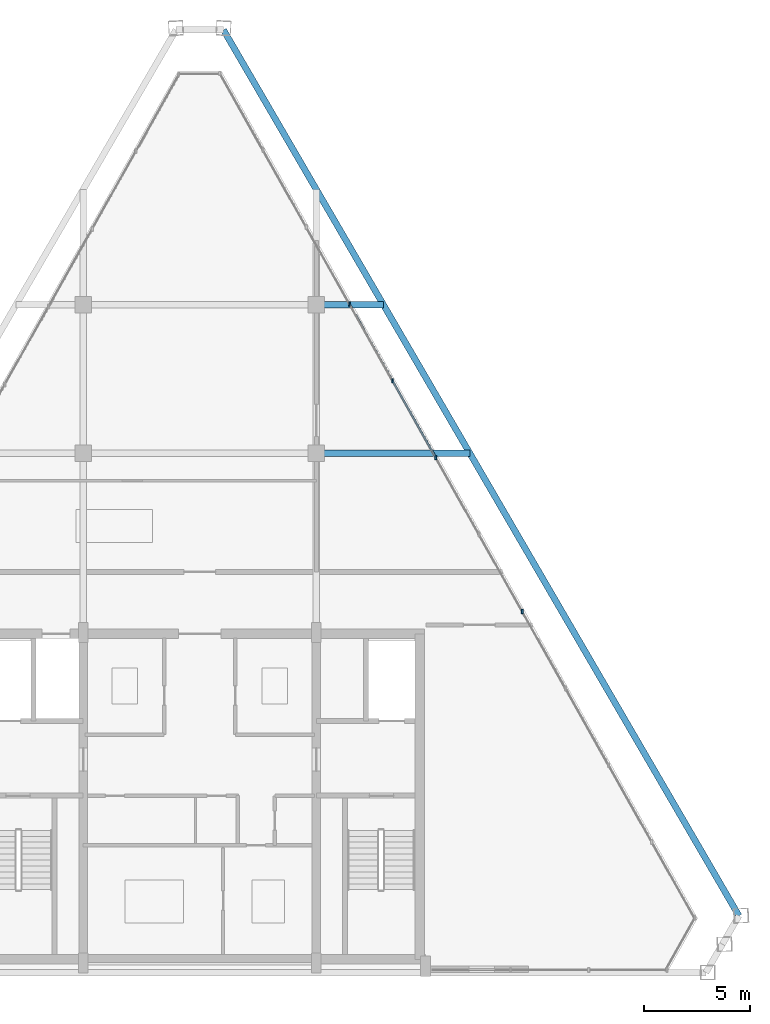
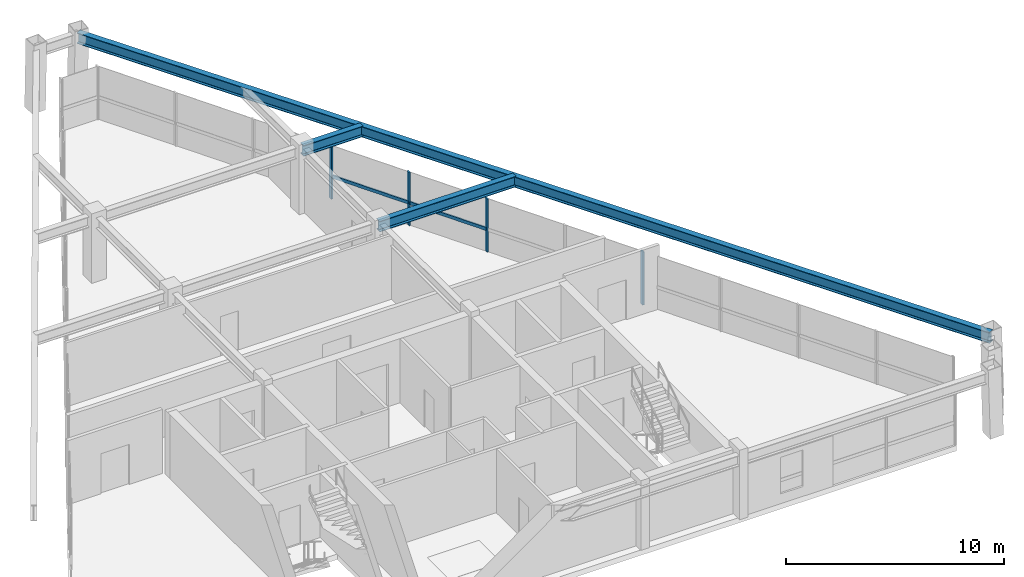
# One storey, part 7 of 12: 6 members, 3 beams, 1 element without a shape of its own.
"""IFC4 building model written with IfcOpenShell, lengths in metres."""

from ifc_helpers import new_model, si_unit, direction, frame, origin, origin_2d, place, context, subcontext, project, spatial, rectangle, i_section, extrude, source, transform, mapped, material, material_profile, profile_set, type_object, type_shapes, element, aggregate, save


model = new_model("IFC4")

# Units and contexts
model_context = context("Model", 3, precision=1e-05, world=origin(), true_north=direction((0.0, 1.0)))
body_context = subcontext(model_context, "Body", "Model", "MODEL_VIEW")
ifc_project = project(units=[si_unit("LENGTHUNIT", "METRE"), si_unit("AREAUNIT", "SQUARE_METRE"), si_unit("VOLUMEUNIT", "CUBIC_METRE"), si_unit("PLANEANGLEUNIT", "RADIAN"), si_unit("MASSUNIT", "GRAM", prefix="KILO")], contexts=[model_context])

# Site, building, storey
site_placement = place(None, origin())
site = spatial("IfcSite", under=ifc_project, at=site_placement, CompositionType="ELEMENT")
building_placement = place(site_placement, origin())
building = spatial("IfcBuilding", under=site, at=building_placement, Name="Varnakhor Terracotta Tower", CompositionType="ELEMENT")
storey_placement = place(building_placement, frame((0.0, 0.0, 325.300048828125)))
storey = spatial("IfcBuildingStorey", under=building, at=storey_placement, Name="L85 Crown", CompositionType="ELEMENT", Elevation=325.300048828125)

# Beams
ifc_material_1 = material(Name="Steel S355", Category="steel")
ifc_material_profile_1 = material_profile(ifc_material_1, i_section(OverallWidth=0.300048828125, OverallDepth=0.60009765625, WebThickness=0.015380859375, FlangeThickness=0.030029296875, FilletRadius=0.01806640625, at=origin_2d()), Name="HEB600")
ifc_profile_set_1 = profile_set([ifc_material_profile_1], Name="Steel S355")
beam_type = type_object("IfcBeamType", Name="BM-HEB600", PredefinedType="BEAM", material=ifc_profile_set_1)
shared_shape_1 = source(origin(), body_context, "Body", "SweptSolid", [
    extrude(i_section(OverallWidth=0.300048828125, OverallDepth=0.60009765625, WebThickness=0.015380859375, FlangeThickness=0.030029296875, FilletRadius=0.01806640625, at=origin_2d()), origin(), (0.0, 0.0, 1.0), 48.347412109375),
])
beam_1_placement = place(storey_placement, frame((25.43408203125, 2.67919921875, 3.300048828125), z_axis=(-0.502900849173, 0.864344107344, 0.0), x_axis=(-0.864344107344, -0.502900849173, 0.0)))
element("IfcBeam", 1, at=beam_1_placement, inside=storey, type_object=beam_type, Name="L85 Crown Perimeter Spandrel 4", PredefinedType="BEAM", context=body_context, shape_type="MappedRepresentation", body=[
    mapped(shared_shape_1, transform((0.0, 0.0, 0.0), scale=1.0)),
])
shared_shape_2 = source(origin(), body_context, "Body", "SweptSolid", [
    extrude(i_section(OverallWidth=0.300048828125, OverallDepth=0.60009765625, WebThickness=0.015380859375, FlangeThickness=0.030029296875, FilletRadius=0.01806640625, at=origin_2d()), origin(), (0.0, 0.0, 1.0), 7.23828125),
])
beam_2_placement = place(storey_placement, frame((5.5, 24.5, 3.300048828125), z_axis=(1.0, 0.0, 0.0), x_axis=(0.0, 1.0, 0.0)))
element("IfcBeam", 2, at=beam_2_placement, inside=storey, type_object=beam_type, Name="L85 Crown Primary Girder EW2-3", PredefinedType="BEAM", context=body_context, shape_type="MappedRepresentation", body=[
    mapped(shared_shape_2, transform((0.0, 0.0, 0.0), scale=1.0)),
])
shared_shape_3 = source(origin(), body_context, "Body", "SweptSolid", [
    extrude(i_section(OverallWidth=0.300048828125, OverallDepth=0.60009765625, WebThickness=0.015380859375, FlangeThickness=0.030029296875, FilletRadius=0.01806640625, at=origin_2d()), origin(), (0.0, 0.0, 1.0), 3.165283203125),
])
beam_3_placement = place(storey_placement, frame((5.5, 31.5, 3.300048828125), z_axis=(1.0, 0.0, 0.0), x_axis=(0.0, 1.0, 0.0)))
element("IfcBeam", 3, at=beam_3_placement, inside=storey, type_object=beam_type, Name="L85 Crown Primary Girder EW3-3", PredefinedType="BEAM", context=body_context, shape_type="MappedRepresentation", body=[
    mapped(shared_shape_3, transform((0.0, 0.0, 0.0), scale=1.0)),
])

# Curtain wall, members
ifc_material_2 = material(Name="Anodised Aluminium Curtain Wall System", Category="aluminium")
curtain_wall_type = type_object("IfcCurtainWallType", Name="CW-SYS-CROWN", PredefinedType="NOTDEFINED", material=ifc_material_2)
curtain_wall_placement = place(storey_placement, origin())
curtain_wall = element("IfcCurtainWall", 4, at=curtain_wall_placement, inside=storey, type_object=curtain_wall_type, Name="L85 Crown Facet Curtain Wall 3", PredefinedType="NOTDEFINED")
ifc_material_3 = material(Name="Anodised Aluminium 6063-T6", Category="aluminium")
ifc_material_profile_2 = material_profile(ifc_material_3, rectangle(XDim=0.080078125, YDim=0.205078125, at=origin_2d()), Name="ALU MULLION 80x205")
ifc_profile_set_2 = profile_set([ifc_material_profile_2], Name="Anodised Aluminium 6063-T6")
member_type_1 = type_object("IfcMemberType", Name="CWM-06", PredefinedType="MULLION", material=ifc_profile_set_2)
shared_shape_4 = source(origin(), body_context, "Body", "SweptSolid", [
    extrude(rectangle(XDim=0.080078125, YDim=0.205078125, at=origin_2d()), origin(), (0.0, 0.0, 1.0), 2.97998046875),
])
type_shapes(member_type_1, [shared_shape_4])
member_1_placement = place(storey_placement, frame((7.05908203125, 31.54150390625, 0.0), z_axis=(0.0, 0.0, 1.0), x_axis=(1.0, 0.0, 0.0)))
member_1 = element("IfcMember", 5, at=member_1_placement, type_object=member_type_1, Name="L85 Crown Facet Curtain Wall 3 Mullion 4", PredefinedType="MULLION", context=body_context, shape_type="MappedRepresentation", body=[
    mapped(shared_shape_4, transform((0.0, 0.0, 0.0), scale=1.0)),
])
member_2_placement = place(storey_placement, frame((9.097412109375, 27.914794921875, 0.0), z_axis=(0.0, 0.0, 1.0), x_axis=(1.0, 0.0, 0.0)))
member_2 = element("IfcMember", 6, at=member_2_placement, type_object=member_type_1, Name="L85 Crown Facet Curtain Wall 3 Mullion 5", PredefinedType="MULLION", context=body_context, shape_type="MappedRepresentation", body=[
    mapped(shared_shape_4, transform((0.0, 0.0, 0.0), scale=1.0)),
])
member_3_placement = place(storey_placement, frame((11.135498046875, 24.2880859375, 0.0), z_axis=(0.0, 0.0, 1.0), x_axis=(1.0, 0.0, 0.0)))
member_3 = element("IfcMember", 7, at=member_3_placement, type_object=member_type_1, Name="L85 Crown Facet Curtain Wall 3 Mullion 6", PredefinedType="MULLION", context=body_context, shape_type="MappedRepresentation", body=[
    mapped(shared_shape_4, transform((0.0, 0.0, 0.0), scale=1.0)),
])
member_4_placement = place(storey_placement, frame((15.2119140625, 17.034912109375, 0.0), z_axis=(0.0, 0.0, 1.0), x_axis=(1.0, 0.0, 0.0)))
member_4 = element("IfcMember", 8, at=member_4_placement, type_object=member_type_1, Name="L85 Crown Facet Curtain Wall 3 Mullion 8", PredefinedType="MULLION", context=body_context, shape_type="MappedRepresentation", body=[
    mapped(shared_shape_4, transform((0.0, 0.0, 0.0), scale=1.0)),
])
ifc_material_profile_3 = material_profile(ifc_material_3, rectangle(XDim=0.080078125, YDim=0.179931640625, at=origin_2d()), Name="ALU TRANSOM 80x180")
ifc_profile_set_3 = profile_set([ifc_material_profile_3], Name="Anodised Aluminium 6063-T6")
member_type_2 = type_object("IfcMemberType", Name="CWT-06", PredefinedType="USERDEFINED", material=ifc_profile_set_3)
shared_shape_5 = source(origin(), body_context, "Body", "SweptSolid", [
    extrude(rectangle(XDim=0.080078125, YDim=0.179931640625, at=origin_2d()), origin(), (0.0, 0.0, 1.0), 4.16015625),
])
member_5_placement = place(storey_placement, frame((7.05908203125, 31.54150390625, 1.25146484375), z_axis=(0.489951942835, -0.871749444343, 0.0), x_axis=(0.871749444343, 0.489951942835, 0.0)))
member_5 = element("IfcMember", 9, at=member_5_placement, type_object=member_type_2, Name="L85 Crown Facet Curtain Wall 3 Transom 4", ObjectType="TRANSOM", PredefinedType="USERDEFINED", context=body_context, shape_type="MappedRepresentation", body=[
    mapped(shared_shape_5, transform((0.0, 0.0, 0.0), scale=1.0)),
])
member_6_placement = place(storey_placement, frame((9.097412109375, 27.914794921875, 1.25146484375), z_axis=(0.489907344247, -0.871774508719, 0.0), x_axis=(0.871774508719, 0.489907344247, 0.0)))
member_6 = element("IfcMember", 10, at=member_6_placement, type_object=member_type_2, Name="L85 Crown Facet Curtain Wall 3 Transom 5", ObjectType="TRANSOM", PredefinedType="USERDEFINED", context=body_context, shape_type="MappedRepresentation", body=[
    mapped(shared_shape_5, transform((0.0, 0.0, 0.0), scale=1.0)),
])
aggregate(curtain_wall, [member_1, member_5, member_2, member_6, member_3, member_4])

save(model, "model.ifc")
